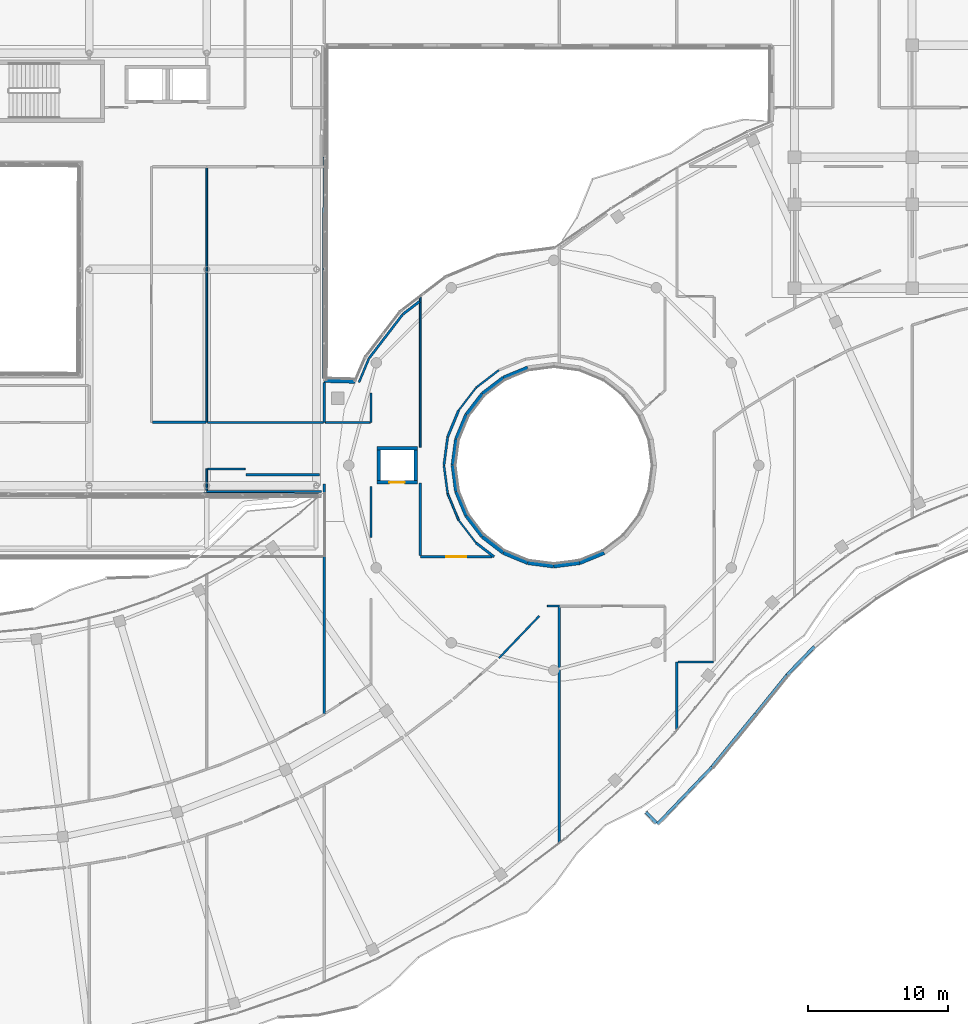
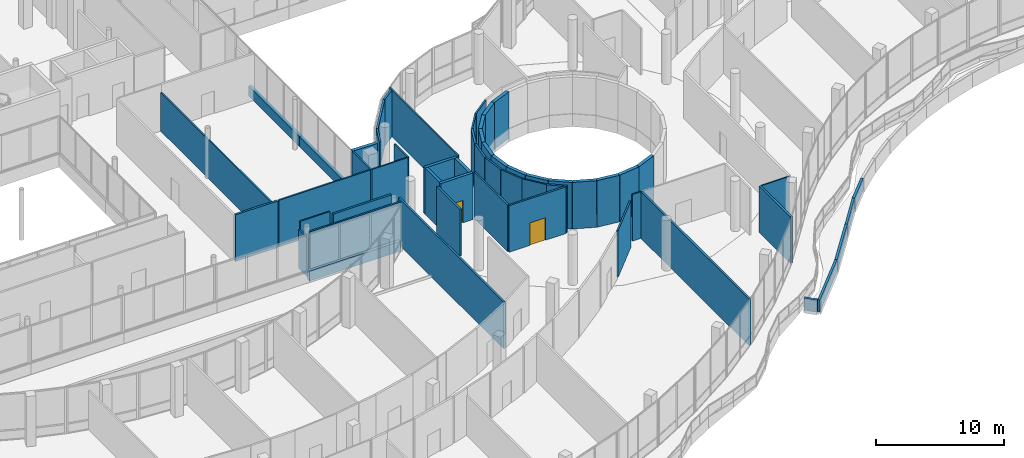
# One storey, part 141 of 168: 57 walls, 2 doors, 2 openings.
"""IFC4 building model written with IfcOpenShell, lengths in metres."""

from ifc_helpers import new_model, si_unit, direction, frame, frame_2d, origin, place, context, subcontext, project, spatial, rectangle, extrude, material, layer, layer_set, type_object, element, fill, save


model = new_model("IFC4")

# Units and contexts
model_context = context("Model", 3, precision=1e-05, world=origin(), true_north=direction((0.0, 1.0)))
body_context = subcontext(model_context, "Body", "Model", "MODEL_VIEW")
ifc_project = project(units=[si_unit("LENGTHUNIT", "METRE"), si_unit("AREAUNIT", "SQUARE_METRE"), si_unit("VOLUMEUNIT", "CUBIC_METRE"), si_unit("PLANEANGLEUNIT", "RADIAN"), si_unit("MASSUNIT", "GRAM", prefix="KILO")], contexts=[model_context])

# Site, building, storey
site_placement = place(None, origin())
site = spatial("IfcSite", under=ifc_project, at=site_placement, CompositionType="ELEMENT")
building_placement = place(site_placement, origin())
building = spatial("IfcBuilding", under=site, at=building_placement, Name="Selatvlak General Hospital", CompositionType="ELEMENT")
storey_placement = place(building_placement, frame((0.0, 0.0, 5.39990234375)))
storey = spatial("IfcBuildingStorey", under=building, at=storey_placement, Name="L01", CompositionType="ELEMENT", Elevation=5.39990234375)

# Walls
ifc_material_1 = material(Name="Precast concrete C40/50 - white fair-faced", Category="concrete")
ifc_layer_1 = layer(ifc_material_1, 0.300048828125, Name="Precast concrete C40/50 - white fair-faced", Category="concrete")
ifc_layer_set_1 = layer_set([ifc_layer_1], Name="Precast concrete C40/50 - white fair-faced")
wall_type_1 = type_object("IfcWallType", Name="WALL-EW-01", PredefinedType="SOLIDWALL", material=ifc_layer_set_1)
wall_1_placement = place(storey_placement, frame((81.60009765625, 60.06005859375, 0.0), z_axis=(0.0, 0.0, 1.0), x_axis=(0.999631579517, -0.027142314411, 0.0)))
element("IfcWall", 1, at=wall_1_placement, inside=storey, type_object=wall_type_1, Name="L01 exterior wall 0239", PredefinedType="SOLIDWALL", context=body_context, shape_type="SweptSolid", body=[
    extrude(rectangle(XDim=2.212646484375, YDim=0.300048828125, at=frame_2d((1.1064453125, 0.0))), origin(), (0.0, 0.0, 1.0), 4.445068359375),
])
wall_2_placement = place(storey_placement, frame((96.14501953125, 60.9560546875, 0.0), z_axis=(0.0, 0.0, 1.0), x_axis=(-0.924236528401, -0.381820428435, 0.0)))
element("IfcWall", 2, at=wall_2_placement, inside=storey, type_object=wall_type_1, Name="L01 exterior wall 0252", PredefinedType="SOLIDWALL", context=body_context, shape_type="SweptSolid", body=[
    extrude(rectangle(XDim=1.880615234375, YDim=0.300048828125, at=frame_2d((0.9404296875, 0.0))), origin(), (0.0, 0.0, 1.0), 4.445068359375),
])
wall_3_placement = place(storey_placement, frame((94.406982421875, 60.238037109375, 0.0), z_axis=(0.0, 0.0, 1.0), x_axis=(-0.79405161161, -0.607850341861, 0.0)))
element("IfcWall", 3, at=wall_3_placement, inside=storey, type_object=wall_type_1, Name="L01 exterior wall 0253", PredefinedType="SOLIDWALL", context=body_context, shape_type="SweptSolid", body=[
    extrude(rectangle(XDim=1.87890625, YDim=0.300048828125, at=frame_2d((0.939453125, 0.0))), origin(), (0.0, 0.0, 1.0), 4.445068359375),
])
wall_4_placement = place(storey_placement, frame((92.9150390625, 59.095947265625, 0.0), z_axis=(0.0, 0.0, 1.0), x_axis=(-0.609333966613, -0.792913688324, 0.0)))
element("IfcWall", 4, at=wall_4_placement, inside=storey, type_object=wall_type_1, Name="L01 exterior wall 0254", PredefinedType="SOLIDWALL", context=body_context, shape_type="SweptSolid", body=[
    extrude(rectangle(XDim=1.879150390625, YDim=0.300048828125, at=frame_2d((0.939453125, 0.0))), origin(), (0.0, 0.0, 1.0), 4.445068359375),
])
wall_5_placement = place(storey_placement, frame((91.77001953125, 57.60595703125, 0.0), z_axis=(0.0, 0.0, 1.0), x_axis=(-0.384006709406, -0.923330302292, 0.0)))
element("IfcWall", 5, at=wall_5_placement, inside=storey, type_object=wall_type_1, Name="L01 exterior wall 0255", PredefinedType="SOLIDWALL", context=body_context, shape_type="SweptSolid", body=[
    extrude(rectangle(XDim=1.8798828125, YDim=0.300048828125, at=frame_2d((0.93994140625, 0.0))), origin(), (0.0, 0.0, 1.0), 4.445068359375),
])
wall_6_placement = place(storey_placement, frame((91.048095703125, 55.8701171875, 0.0), z_axis=(0.0, 0.0, 1.0), x_axis=(-0.131533688416, -0.991311701137, 0.0)))
element("IfcWall", 6, at=wall_6_placement, inside=storey, type_object=wall_type_1, Name="L01 exterior wall 0256", PredefinedType="SOLIDWALL", context=body_context, shape_type="SweptSolid", body=[
    extrude(rectangle(XDim=1.87841796875, YDim=0.300048828125, at=frame_2d((0.939208984375, 0.0))), origin(), (0.0, 0.0, 1.0), 4.445068359375),
])
wall_7_placement = place(storey_placement, frame((90.801025390625, 54.008056640625, 0.0), z_axis=(0.0, 0.0, 1.0), x_axis=(0.129294741965, -0.991606206969, 0.0)))
element("IfcWall", 7, at=wall_7_placement, inside=storey, type_object=wall_type_1, Name="L01 exterior wall 0257", PredefinedType="SOLIDWALL", context=body_context, shape_type="SweptSolid", body=[
    extrude(rectangle(XDim=1.87890625, YDim=0.300048828125, at=frame_2d((0.939453125, 0.0))), origin(), (0.0, 0.0, 1.0), 4.445068359375),
])
wall_8_placement = place(storey_placement, frame((91.0439453125, 52.14501953125, 0.0), z_axis=(0.0, 0.0, 1.0), x_axis=(0.381820428435, -0.924236528401, 0.0)))
element("IfcWall", 8, at=wall_8_placement, inside=storey, type_object=wall_type_1, Name="L01 exterior wall 0258", PredefinedType="SOLIDWALL", context=body_context, shape_type="SweptSolid", body=[
    extrude(rectangle(XDim=1.880615234375, YDim=0.300048828125, at=frame_2d((0.9404296875, 0.0))), origin(), (0.0, 0.0, 1.0), 4.445068359375),
])
wall_9_placement = place(storey_placement, frame((91.761962890625, 50.406982421875, 0.0), z_axis=(0.0, 0.0, 1.0), x_axis=(0.607850341861, -0.79405161161, 0.0)))
element("IfcWall", 9, at=wall_9_placement, inside=storey, type_object=wall_type_1, Name="L01 exterior wall 0259", PredefinedType="SOLIDWALL", context=body_context, shape_type="SweptSolid", body=[
    extrude(rectangle(XDim=1.87890625, YDim=0.300048828125, at=frame_2d((0.939453125, 0.0))), origin(), (0.0, 0.0, 1.0), 4.445068359375),
])
wall_10_placement = place(storey_placement, frame((92.904052734375, 48.9150390625, 0.0), z_axis=(0.0, 0.0, 1.0), x_axis=(0.792913688324, -0.609333966613, 0.0)))
element("IfcWall", 10, at=wall_10_placement, inside=storey, type_object=wall_type_1, Name="L01 exterior wall 0260", PredefinedType="SOLIDWALL", context=body_context, shape_type="SweptSolid", body=[
    extrude(rectangle(XDim=1.879150390625, YDim=0.300048828125, at=frame_2d((0.939453125, 0.0))), origin(), (0.0, 0.0, 1.0), 4.445068359375),
])
wall_11_placement = place(storey_placement, frame((94.39404296875, 47.77001953125, 0.0), z_axis=(0.0, 0.0, 1.0), x_axis=(0.923330302292, -0.384006709406, 0.0)))
element("IfcWall", 11, at=wall_11_placement, inside=storey, type_object=wall_type_1, Name="L01 exterior wall 0261", PredefinedType="SOLIDWALL", context=body_context, shape_type="SweptSolid", body=[
    extrude(rectangle(XDim=1.8798828125, YDim=0.300048828125, at=frame_2d((0.93994140625, 0.0))), origin(), (0.0, 0.0, 1.0), 4.445068359375),
])
wall_12_placement = place(storey_placement, frame((96.1298828125, 47.048095703125, 0.0), z_axis=(0.0, 0.0, 1.0), x_axis=(0.991311701137, -0.131533688416, 0.0)))
element("IfcWall", 12, at=wall_12_placement, inside=storey, type_object=wall_type_1, Name="L01 exterior wall 0262", PredefinedType="SOLIDWALL", context=body_context, shape_type="SweptSolid", body=[
    extrude(rectangle(XDim=1.87841796875, YDim=0.300048828125, at=frame_2d((0.939208984375, 0.0))), origin(), (0.0, 0.0, 1.0), 4.445068359375),
])
wall_13_placement = place(storey_placement, frame((97.991943359375, 46.801025390625, 0.0), z_axis=(0.0, 0.0, 1.0), x_axis=(0.991606206969, 0.129294741965, 0.0)))
element("IfcWall", 13, at=wall_13_placement, inside=storey, type_object=wall_type_1, Name="L01 exterior wall 0263", PredefinedType="SOLIDWALL", context=body_context, shape_type="SweptSolid", body=[
    extrude(rectangle(XDim=1.87890625, YDim=0.300048828125, at=frame_2d((0.939453125, 0.0))), origin(), (0.0, 0.0, 1.0), 4.445068359375),
])
wall_14_placement = place(storey_placement, frame((99.85498046875, 47.0439453125, 0.0), z_axis=(0.0, 0.0, 1.0), x_axis=(0.924236528401, 0.381820428435, 0.0)))
element("IfcWall", 14, at=wall_14_placement, inside=storey, type_object=wall_type_1, Name="L01 exterior wall 0264", PredefinedType="SOLIDWALL", context=body_context, shape_type="SweptSolid", body=[
    extrude(rectangle(XDim=1.880615234375, YDim=0.300048828125, at=frame_2d((0.9404296875, 0.0))), origin(), (0.0, 0.0, 1.0), 4.445068359375),
])
ifc_material_2 = material(Name="Precast concrete C40/50 - white Bauhaus spandrel", Category="concrete")
ifc_layer_2 = layer(ifc_material_2, 0.280029296875, Name="Precast concrete C40/50 - white Bauhaus spandrel", Category="concrete")
ifc_layer_set_2 = layer_set([ifc_layer_2], Name="Precast concrete C40/50 - white Bauhaus spandrel")
wall_type_2 = type_object("IfcWallType", Name="WALL-EW-02", PredefinedType="SOLIDWALL", material=ifc_layer_set_2)
wall_15_placement = place(storey_placement, frame((81.201904296875, 51.89501953125, 0.0), z_axis=(0.0, 0.0, 1.0), x_axis=(-0.999998358775, 0.001811752647, 0.0)))
element("IfcWall", 15, at=wall_15_placement, inside=storey, type_object=wall_type_2, Name="L01 Bauhaus spandrel sill wall 0231", PredefinedType="SOLIDWALL", context=body_context, shape_type="SweptSolid", body=[
    extrude(rectangle(XDim=8.219970703125, YDim=0.280029296875, at=frame_2d((4.10986328125, 0.0))), origin(), (0.0, 0.0, 1.0), 0.940185546875),
])
wall_16_placement = place(storey_placement, frame((81.639892578125, 76.01806640625, 0.0), z_axis=(0.0, 0.0, 1.0), x_axis=(-0.002479331223, -0.999996926454, 0.0)))
element("IfcWall", 16, at=wall_16_placement, inside=storey, type_object=wall_type_2, Name="L01 Bauhaus spandrel sill wall 0247", PredefinedType="SOLIDWALL", context=body_context, shape_type="SweptSolid", body=[
    extrude(rectangle(XDim=7.97607421875, YDim=0.280029296875, at=frame_2d((3.988037109375, 0.0))), origin(), (0.0, 0.0, 1.0), 0.940185546875),
])
wall_17_placement = place(storey_placement, frame((81.6201171875, 68.0380859375, 0.0), z_axis=(0.0, 0.0, 1.0), x_axis=(-0.002554110965, -0.999996738253, 0.0)))
element("IfcWall", 17, at=wall_17_placement, inside=storey, type_object=wall_type_2, Name="L01 Bauhaus spandrel sill wall 0248", PredefinedType="SOLIDWALL", context=body_context, shape_type="SweptSolid", body=[
    extrude(rectangle(XDim=7.838134765625, YDim=0.280029296875, at=frame_2d((3.9189453125, 0.0))), origin(), (0.0, 0.0, 1.0), 0.940185546875),
])
ifc_layer_3 = layer(ifc_material_1, 0.199951171875, Name="Precast concrete C40/50 - white fair-faced", Category="concrete")
ifc_layer_set_3 = layer_set([ifc_layer_3], Name="Precast concrete C40/50 - white fair-faced")
wall_type_3 = type_object("IfcWallType", Name="WALL-PR-01", PredefinedType="PARAPET", material=ifc_layer_set_3)
wall_18_placement = place(storey_placement, frame((114.659912109375, 39.01806640625, -0.079833984375), z_axis=(0.0, 0.0, 1.0), x_axis=(-0.629213969968, -0.777232127486, 0.0)))
element("IfcWall", 18, at=wall_18_placement, inside=storey, type_object=wall_type_3, Name="L01 roof parapet upstand PAR-L01-023", PredefinedType="PARAPET", context=body_context, shape_type="SweptSolid", body=[
    extrude(rectangle(XDim=3.5693359375, YDim=0.199951171875, at=frame_2d((1.78466796875, 0.0))), origin(), (0.0, 0.0, 1.0), 1.14990234375),
])
wall_19_placement = place(storey_placement, frame((109.31103515625, 32.4560546875, -0.079833984375), z_axis=(0.0, 0.0, 1.0), x_axis=(-0.690903919484, -0.722946591417, 0.0)))
element("IfcWall", 19, at=wall_19_placement, inside=storey, type_object=wall_type_3, Name="L01 roof parapet upstand PAR-L01-025", PredefinedType="PARAPET", context=body_context, shape_type="SweptSolid", body=[
    extrude(rectangle(XDim=5.653564453125, YDim=0.199951171875, at=frame_2d((2.82666015625, 0.0))), origin(), (0.0, 0.0, 1.0), 1.14990234375),
])
ifc_layer_4 = layer(ifc_material_1, 0.219970703125, Name="Precast concrete C40/50 - white fair-faced", Category="concrete")
ifc_layer_set_4 = layer_set([ifc_layer_4], Name="Precast concrete C40/50 - white fair-faced")
wall_type_4 = type_object("IfcWallType", Name="WALL-PR-02", PredefinedType="PARAPET", material=ifc_layer_set_4)
wall_20_placement = place(storey_placement, frame((116.614990234375, 41.0419921875, -0.079833984375), z_axis=(0.0, 0.0, 1.0), x_axis=(-0.694767905197, -0.719234007753, 0.0)))
element("IfcWall", 20, at=wall_20_placement, inside=storey, type_object=wall_type_4, Name="L01 roof parapet upstand PAR-L01-022", PredefinedType="PARAPET", context=body_context, shape_type="SweptSolid", body=[
    extrude(rectangle(XDim=2.81396484375, YDim=0.219970703125, at=frame_2d((1.406982421875, 0.0))), origin(), (0.0, 0.0, 1.0), 1.14990234375),
])
wall_21_placement = place(storey_placement, frame((112.4140625, 36.243896484375, -0.079833984375), z_axis=(0.0, 0.0, 1.0), x_axis=(-0.63371281608, -0.773568398228, 0.0)))
element("IfcWall", 21, at=wall_21_placement, inside=storey, type_object=wall_type_4, Name="L01 roof parapet upstand PAR-L01-024", PredefinedType="PARAPET", context=body_context, shape_type="SweptSolid", body=[
    extrude(rectangle(XDim=4.896484375, YDim=0.219970703125, at=frame_2d((2.4482421875, 0.0))), origin(), (0.0, 0.0, 1.0), 1.14990234375),
])
wall_22_placement = place(storey_placement, frame((105.330078125, 28.447021484375, -0.079833984375), z_axis=(0.0, 0.0, 1.0), x_axis=(-0.694431430986, 0.719558884081, 0.0)))
element("IfcWall", 22, at=wall_22_placement, inside=storey, type_object=wall_type_4, Name="L01 roof parapet upstand PAR-L01-026", PredefinedType="PARAPET", context=body_context, shape_type="SweptSolid", body=[
    extrude(rectangle(XDim=1.06884765625, YDim=0.219970703125, at=frame_2d((0.534423828125, 0.0))), origin(), (0.0, 0.0, 1.0), 1.14990234375),
])
ifc_material_3 = material(Name="Acoustic gypsum stud partition")
ifc_layer_5 = layer(ifc_material_3, 0.179931640625, Name="Acoustic gypsum stud partition")
ifc_layer_set_5 = layer_set([ifc_layer_5], Name="Acoustic gypsum stud partition")
wall_type_5 = type_object("IfcWallType", Name="WALL-PT-01", PredefinedType="PARTITIONING", material=ifc_layer_set_5)
wall_23_placement = place(storey_placement, frame((73.14404296875, 57.06005859375, 0.0), z_axis=(0.0, 0.0, 1.0), x_axis=(-1.0, 0.0, 0.0)))
element("IfcWall", 23, at=wall_23_placement, inside=storey, type_object=wall_type_5, Name="L01 clinical partition PT-L01-0785", PredefinedType="PARTITIONING", context=body_context, shape_type="SweptSolid", body=[
    extrude(rectangle(XDim=3.81298828125, YDim=0.179931640625, at=frame_2d((1.906494140625, 0.0))), origin(), (0.0, 0.0, 1.0), 4.445068359375),
])
wall_24_placement = place(storey_placement, frame((76.0, 53.340087890625, 0.0), z_axis=(0.0, 0.0, 1.0), x_axis=(1.0, 0.0, 0.0)))
element("IfcWall", 24, at=wall_24_placement, inside=storey, type_object=wall_type_5, Name="L01 clinical partition PT-L01-0795", PredefinedType="PARTITIONING", context=body_context, shape_type="SweptSolid", body=[
    extrude(rectangle(XDim=5.241943359375, YDim=0.179931640625, at=frame_2d((2.62109375, 0.0))), origin(), (0.0, 0.0, 1.0), 4.445068359375),
])
wall_25_placement = place(storey_placement, frame((98.39990234375, 43.884033203125, 0.0), z_axis=(0.0, 0.0, 1.0), x_axis=(0.0, -1.0, 0.0)))
element("IfcWall", 25, at=wall_25_placement, inside=storey, type_object=wall_type_5, Name="L01 clinical partition PT-L01-0810", PredefinedType="PARTITIONING", context=body_context, shape_type="SweptSolid", body=[
    extrude(rectangle(XDim=16.862060546875, YDim=0.179931640625, at=frame_2d((8.43115234375, 0.0))), origin(), (0.0, 0.0, 1.0), 4.445068359375),
])
wall_26_placement = place(storey_placement, frame((88.404052734375, 65.705078125, 0.0), z_axis=(0.0, 0.0, 1.0), x_axis=(-0.792939148297, -0.609300834644, 0.0)))
element("IfcWall", 26, at=wall_26_placement, inside=storey, type_object=wall_type_5, Name="L01 clinical partition PT-L01-0815", PredefinedType="PARTITIONING", context=body_context, shape_type="SweptSolid", body=[
    extrude(rectangle(XDim=1.4970703125, YDim=0.179931640625, at=frame_2d((0.74853515625, 0.0))), origin(), (0.0, 0.0, 1.0), 4.445068359375),
])
wall_27_placement = place(storey_placement, frame((91.201904296875, 57.925048828125, 0.0), z_axis=(0.0, 0.0, 1.0), x_axis=(-0.383007584532, -0.923745197655, 0.0)))
element("IfcWall", 27, at=wall_27_placement, inside=storey, type_object=wall_type_5, Name="L01 clinical partition PT-L01-0825", PredefinedType="PARTITIONING", context=body_context, shape_type="SweptSolid", body=[
    extrude(rectangle(XDim=2.04931640625, YDim=0.179931640625, at=frame_2d((1.024658203125, 0.0))), origin(), (0.0, 0.0, 1.0), 4.445068359375),
])
wall_28_placement = place(storey_placement, frame((92.448974609375, 48.448974609375, 0.0), z_axis=(0.0, 0.0, 1.0), x_axis=(0.793388644719, -0.60871541662, 0.0)))
element("IfcWall", 28, at=wall_28_placement, inside=storey, type_object=wall_type_5, Name="L01 clinical partition PT-L01-0830", PredefinedType="PARTITIONING", context=body_context, shape_type="SweptSolid", body=[
    extrude(rectangle(XDim=1.624755859375, YDim=0.179931640625, at=frame_2d((0.8125, 0.0))), origin(), (0.0, 0.0, 1.0), 4.445068359375),
])
wall_29_placement = place(storey_placement, frame((106.800048828125, 39.93994140625, 0.0), z_axis=(0.0, 0.0, 1.0), x_axis=(0.0, -1.0, 0.0)))
element("IfcWall", 29, at=wall_29_placement, inside=storey, type_object=wall_type_5, Name="L01 clinical partition PT-L01-0835", PredefinedType="PARTITIONING", context=body_context, shape_type="SweptSolid", body=[
    extrude(rectangle(XDim=4.85400390625, YDim=0.179931640625, at=frame_2d((2.427001953125, 0.0))), origin(), (0.0, 0.0, 1.0), 4.445068359375),
])
ifc_layer_6 = layer(ifc_material_3, 0.1650390625, Name="Acoustic gypsum stud partition")
ifc_layer_set_6 = layer_set([ifc_layer_6], Name="Acoustic gypsum stud partition")
wall_type_6 = type_object("IfcWallType", Name="WALL-PT-02", PredefinedType="PARTITIONING", material=ifc_layer_set_6)
wall_30_placement = place(storey_placement, frame((81.60009765625, 52.654052734375, 0.0), z_axis=(0.0, 0.0, 1.0), x_axis=(0.0, -1.0, 0.0)))
element("IfcWall", 30, at=wall_30_placement, inside=storey, type_object=wall_type_6, Name="L01 clinical partition PT-L01-0796", PredefinedType="PARTITIONING", context=body_context, shape_type="SweptSolid", body=[
    extrude(rectangle(XDim=16.427978515625, YDim=0.1650390625, at=frame_2d((8.2138671875, 0.0))), origin(), (0.0, 0.0, 1.0), 4.445068359375),
])
wall_31_placement = place(storey_placement, frame((84.93994140625, 52.467041015625, 0.0), z_axis=(0.0, 0.0, 1.0), x_axis=(0.0, -1.0, 0.0)))
element("IfcWall", 31, at=wall_31_placement, inside=storey, type_object=wall_type_6, Name="L01 clinical partition PT-L01-0811", PredefinedType="PARTITIONING", context=body_context, shape_type="SweptSolid", body=[
    extrude(rectangle(XDim=3.615966796875, YDim=0.1650390625, at=frame_2d((1.80810546875, 0.0))), origin(), (0.0, 0.0, 1.0), 4.445068359375),
])
wall_32_placement = place(storey_placement, frame((87.2060546875, 64.781982421875, 0.0), z_axis=(0.0, 0.0, 1.0), x_axis=(-0.608806174349, -0.793319003979, 0.0)))
element("IfcWall", 32, at=wall_32_placement, inside=storey, type_object=wall_type_6, Name="L01 clinical partition PT-L01-0816", PredefinedType="PARTITIONING", context=body_context, shape_type="SweptSolid", body=[
    extrude(rectangle(XDim=3.966796875, YDim=0.1650390625, at=frame_2d((1.9833984375, 0.0))), origin(), (0.0, 0.0, 1.0), 4.445068359375),
])
wall_33_placement = place(storey_placement, frame((90.4169921875, 56.031982421875, 0.0), z_axis=(0.0, 0.0, 1.0), x_axis=(-0.130322006886, -0.991471721493, 0.0)))
element("IfcWall", 33, at=wall_33_placement, inside=storey, type_object=wall_type_6, Name="L01 clinical partition PT-L01-0826", PredefinedType="PARTITIONING", context=body_context, shape_type="SweptSolid", body=[
    extrude(rectangle(XDim=2.049560546875, YDim=0.1650390625, at=frame_2d((1.02490234375, 0.0))), origin(), (0.0, 0.0, 1.0), 4.445068359375),
])

# Wall, opening, door
wall_34_placement = place(storey_placement, frame((93.596923828125, 47.4599609375, 0.0), z_axis=(0.0, 0.0, 1.0), x_axis=(-1.0, 0.0, 0.0)))
wall_34 = element("IfcWall", 34, at=wall_34_placement, inside=storey, type_object=wall_type_6, Name="L01 clinical partition PT-L01-0831", PredefinedType="PARTITIONING", context=body_context, shape_type="SweptSolid", body=[
    extrude(rectangle(XDim=5.136962890625, YDim=0.1650390625, at=frame_2d((2.568359375, 0.0))), origin(), (0.0, 0.0, 1.0), 4.445068359375),
])
opening_1_placement = place(wall_34_placement, frame((1.868896484375, 0.0, 0.0)))
opening_1 = element("IfcOpeningElement", 35, at=opening_1_placement, cuts=wall_34, Name="Opening D-11", PredefinedType="OPENING", context=body_context, shape_type="SweptSolid", body=[
    extrude(rectangle(XDim=1.39990234375, YDim=2.14990234375, at=frame_2d((0.699951171875, 1.074951171875))), frame((0.0, 0.092529296875, 0.0), z_axis=(0.0, -1.0, 0.0), x_axis=(1.0, 0.0, 0.0)), (0.0, 0.0, 1.0), 0.18505859375),
])
ifc_material_4 = material(Name="Inpatient suite bed door")
door_type_1 = type_object("IfcDoorType", Name="DOOR-D-11", OperationType="NOTDEFINED", PredefinedType="DOOR", material=ifc_material_4)
door_1_placement = place(opening_1_placement, origin())
door_1 = element("IfcDoor", 36, at=door_1_placement, inside=storey, type_object=door_type_1, Name="L01 Paediatric Intensive Care Unit 24 door", OperationType="SINGLE_SWING_RIGHT", OverallHeight=2.14990234375, OverallWidth=1.39990234375, PredefinedType="DOOR", context=body_context, shape_type="SweptSolid", body=[
    extrude(rectangle(XDim=1.39990234375, YDim=2.14990234375, at=frame_2d((0.699951171875, 1.074951171875))), frame((0.0, 0.02490234375, 0.0), z_axis=(0.0, -1.0, 0.0), x_axis=(1.0, 0.0, 0.0)), (0.0, 0.0, 1.0), 0.050048828125),
])
fill(opening_1, door_1)

# Walls
ifc_layer_7 = layer(ifc_material_3, 0.14990234375, Name="Acoustic gypsum stud partition")
ifc_layer_set_7 = layer_set([ifc_layer_7], Name="Acoustic gypsum stud partition")
wall_type_7 = type_object("IfcWallType", Name="WALL-PT-03", PredefinedType="PARTITIONING", material=ifc_layer_set_7)
wall_35_placement = place(storey_placement, frame((81.39404296875, 52.139892578125, 0.0), z_axis=(0.0, 0.0, 1.0), x_axis=(-1.0, 0.0, 0.0)))
element("IfcWall", 37, at=wall_35_placement, inside=storey, type_object=wall_type_7, Name="L01 clinical partition PT-L01-0792", PredefinedType="PARTITIONING", context=body_context, shape_type="SweptSolid", body=[
    extrude(rectangle(XDim=8.194091796875, YDim=0.14990234375, at=frame_2d((4.09716796875, 0.0))), origin(), (0.0, 0.0, 1.0), 4.445068359375),
])
wall_36_placement = place(storey_placement, frame((81.60009765625, 59.9130859375, 0.0), z_axis=(0.0, 0.0, 1.0), x_axis=(0.0, -1.0, 0.0)))
element("IfcWall", 38, at=wall_36_placement, inside=storey, type_object=wall_type_7, Name="L01 clinical partition PT-L01-0802", PredefinedType="PARTITIONING", context=body_context, shape_type="SweptSolid", body=[
    extrude(rectangle(XDim=2.85302734375, YDim=0.14990234375, at=frame_2d((1.426513671875, 0.0))), origin(), (0.0, 0.0, 1.0), 4.445068359375),
])
wall_37_placement = place(storey_placement, frame((84.782958984375, 61.62109375, 0.0), z_axis=(0.0, 0.0, 1.0), x_axis=(-0.382660915668, -0.923888858911, 0.0)))
element("IfcWall", 39, at=wall_37_placement, inside=storey, type_object=wall_type_7, Name="L01 clinical partition PT-L01-0817", PredefinedType="PARTITIONING", context=body_context, shape_type="SweptSolid", body=[
    extrude(rectangle(XDim=1.8369140625, YDim=0.14990234375, at=frame_2d((0.91845703125, 0.0))), origin(), (0.0, 0.0, 1.0), 4.445068359375),
])
wall_38_placement = place(storey_placement, frame((90.14990234375, 54.0, 0.0), z_axis=(0.0, 0.0, 1.0), x_axis=(0.130322006886, -0.991471721493, 0.0)))
element("IfcWall", 40, at=wall_38_placement, inside=storey, type_object=wall_type_7, Name="L01 clinical partition PT-L01-0827", PredefinedType="PARTITIONING", context=body_context, shape_type="SweptSolid", body=[
    extrude(rectangle(XDim=2.049560546875, YDim=0.14990234375, at=frame_2d((1.02490234375, 0.0))), origin(), (0.0, 0.0, 1.0), 4.445068359375),
])
wall_39_placement = place(storey_placement, frame((88.4599609375, 47.5380859375, 0.0), z_axis=(0.0, 0.0, 1.0), x_axis=(0.0, 1.0, 0.0)))
element("IfcWall", 41, at=wall_39_placement, inside=storey, type_object=wall_type_7, Name="L01 clinical partition PT-L01-0832", PredefinedType="PARTITIONING", context=body_context, shape_type="SweptSolid", body=[
    extrude(rectangle(XDim=5.181884765625, YDim=0.14990234375, at=frame_2d((2.5908203125, 0.0))), origin(), (0.0, 0.0, 1.0), 4.445068359375),
])
ifc_material_5 = material(Name="Moisture-resistant clinical partition")
ifc_layer_8 = layer(ifc_material_5, 0.135009765625, Name="Moisture-resistant clinical partition")
ifc_layer_set_8 = layer_set([ifc_layer_8], Name="Moisture-resistant clinical partition")
wall_type_8 = type_object("IfcWallType", Name="WALL-PT-04", PredefinedType="PARTITIONING", material=ifc_layer_set_8)
wall_40_placement = place(storey_placement, frame((73.199951171875, 52.2109375, 0.0), z_axis=(0.0, 0.0, 1.0), x_axis=(0.0, 1.0, 0.0)))
element("IfcWall", 42, at=wall_40_placement, inside=storey, type_object=wall_type_8, Name="L01 clinical partition PT-L01-0793", PredefinedType="PARTITIONING", context=body_context, shape_type="SweptSolid", body=[
    extrude(rectangle(XDim=1.529052734375, YDim=0.135009765625, at=frame_2d((0.7646484375, 0.0))), origin(), (0.0, 0.0, 1.0), 3.695068359375),
])
wall_41_placement = place(storey_placement, frame((81.529052734375, 57.06005859375, 0.0), z_axis=(0.0, 0.0, 1.0), x_axis=(-1.0, 0.0, 0.0)))
element("IfcWall", 43, at=wall_41_placement, inside=storey, type_object=wall_type_8, Name="L01 clinical partition PT-L01-0803", PredefinedType="PARTITIONING", context=body_context, shape_type="SweptSolid", body=[
    extrude(rectangle(XDim=8.27294921875, YDim=0.135009765625, at=frame_2d((4.136474609375, 0.0))), origin(), (0.0, 0.0, 1.0), 4.445068359375),
])
wall_42_placement = place(storey_placement, frame((94.0791015625, 40.218994140625, 0.0), z_axis=(0.0, 0.0, 1.0), x_axis=(0.690956969987, 0.722895888511, 0.0)))
element("IfcWall", 44, at=wall_42_placement, inside=storey, type_object=wall_type_8, Name="L01 clinical partition PT-L01-0808", PredefinedType="PARTITIONING", context=body_context, shape_type="SweptSolid", body=[
    extrude(rectangle(XDim=4.173583984375, YDim=0.135009765625, at=frame_2d((2.0869140625, 0.0))), origin(), (0.0, 0.0, 1.0), 4.445068359375),
])
wall_43_placement = place(storey_placement, frame((84.93994140625, 59.14892578125, 0.0), z_axis=(0.0, 0.0, 1.0), x_axis=(0.0, -1.0, 0.0)))
element("IfcWall", 45, at=wall_43_placement, inside=storey, type_object=wall_type_8, Name="L01 clinical partition PT-L01-0818", PredefinedType="PARTITIONING", context=body_context, shape_type="SweptSolid", body=[
    extrude(rectangle(XDim=2.0888671875, YDim=0.135009765625, at=frame_2d((1.04443359375, 0.0))), origin(), (0.0, 0.0, 1.0), 4.445068359375),
])
wall_44_placement = place(storey_placement, frame((94.074951171875, 60.798095703125, 0.0), z_axis=(0.0, 0.0, 1.0), x_axis=(-0.793491289639, -0.608581607729, 0.0)))
element("IfcWall", 46, at=wall_44_placement, inside=storey, type_object=wall_type_8, Name="L01 clinical partition PT-L01-0823", PredefinedType="PARTITIONING", context=body_context, shape_type="SweptSolid", body=[
    extrude(rectangle(XDim=2.049072265625, YDim=0.135009765625, at=frame_2d((1.0244140625, 0.0))), origin(), (0.0, 0.0, 1.0), 4.445068359375),
])
wall_45_placement = place(storey_placement, frame((90.4169921875, 51.968017578125, 0.0), z_axis=(0.0, 0.0, 1.0), x_axis=(0.383007584532, -0.923745197655, 0.0)))
element("IfcWall", 47, at=wall_45_placement, inside=storey, type_object=wall_type_8, Name="L01 clinical partition PT-L01-0828", PredefinedType="PARTITIONING", context=body_context, shape_type="SweptSolid", body=[
    extrude(rectangle(XDim=2.04931640625, YDim=0.135009765625, at=frame_2d((1.024658203125, 0.0))), origin(), (0.0, 0.0, 1.0), 4.445068359375),
])
ifc_layer_9 = layer(ifc_material_5, 0.1201171875, Name="Moisture-resistant clinical partition")
ifc_layer_set_9 = layer_set([ifc_layer_9], Name="Moisture-resistant clinical partition")
wall_type_9 = type_object("IfcWallType", Name="WALL-PT-05", PredefinedType="PARTITIONING", material=ifc_layer_set_9)
wall_46_placement = place(storey_placement, frame((73.199951171875, 75.27587890625, 0.0), z_axis=(0.0, 0.0, 1.0), x_axis=(0.0, -1.0, 0.0)))
element("IfcWall", 48, at=wall_46_placement, inside=storey, type_object=wall_type_9, Name="L01 clinical partition PT-L01-0784", PredefinedType="PARTITIONING", context=body_context, shape_type="SweptSolid", body=[
    extrude(rectangle(XDim=18.2158203125, YDim=0.1201171875, at=frame_2d((9.10791015625, 0.0))), origin(), (0.0, 0.0, 1.0), 3.695068359375),
])
wall_47_placement = place(storey_placement, frame((73.263916015625, 53.739990234375, 0.0), z_axis=(0.0, 0.0, 1.0), x_axis=(1.0, 0.0, 0.0)))
element("IfcWall", 49, at=wall_47_placement, inside=storey, type_object=wall_type_9, Name="L01 clinical partition PT-L01-0794", PredefinedType="PARTITIONING", context=body_context, shape_type="SweptSolid", body=[
    extrude(rectangle(XDim=2.676025390625, YDim=0.1201171875, at=frame_2d((1.337890625, 0.0))), origin(), (0.0, 0.0, 1.0), 4.445068359375),
])
wall_48_placement = place(storey_placement, frame((97.544921875, 43.93994140625, 0.0), z_axis=(0.0, 0.0, 1.0), x_axis=(1.0, 0.0, 0.0)))
element("IfcWall", 50, at=wall_48_placement, inside=storey, type_object=wall_type_9, Name="L01 clinical partition PT-L01-0809", PredefinedType="PARTITIONING", context=body_context, shape_type="SweptSolid", body=[
    extrude(rectangle(XDim=0.85498046875, YDim=0.1201171875, at=frame_2d((0.427490234375, 0.0))), origin(), (0.0, 0.0, 1.0), 4.445068359375),
])
wall_49_placement = place(storey_placement, frame((88.4599609375, 55.280029296875, 0.0), z_axis=(0.0, 0.0, 1.0), x_axis=(0.0, 1.0, 0.0)))
element("IfcWall", 51, at=wall_49_placement, inside=storey, type_object=wall_type_9, Name="L01 clinical partition PT-L01-0814", PredefinedType="PARTITIONING", context=body_context, shape_type="SweptSolid", body=[
    extrude(rectangle(XDim=10.7548828125, YDim=0.1201171875, at=frame_2d((5.37744140625, 0.0))), origin(), (0.0, 0.0, 1.0), 4.445068359375),
])
wall_50_placement = place(storey_placement, frame((84.8759765625, 57.06005859375, 0.0), z_axis=(0.0, 0.0, 1.0), x_axis=(-1.0, 0.0, 0.0)))
element("IfcWall", 52, at=wall_50_placement, inside=storey, type_object=wall_type_9, Name="L01 clinical partition PT-L01-0819", PredefinedType="PARTITIONING", context=body_context, shape_type="SweptSolid", body=[
    extrude(rectangle(XDim=3.205078125, YDim=0.1201171875, at=frame_2d((1.6025390625, 0.0))), origin(), (0.0, 0.0, 1.0), 4.445068359375),
])
for number, where, z_axis, x_axis, name in (
    (53, (92.448974609375, 59.551025390625, 0.0), (0.0, 0.0, 1.0), (-0.608581607729, -0.793491289639, 0.0), "L01 clinical partition PT-L01-0824"),
    (54, (91.201904296875, 50.074951171875, 0.0), (0.0, 0.0, 1.0), (0.608581607729, -0.793491289639, 0.0), "L01 clinical partition PT-L01-0829"),
):
    element("IfcWall", number, at=place(storey_placement, frame(where, z_axis=z_axis, x_axis=x_axis)), inside=storey, type_object=wall_type_9, Name=name, PredefinedType="PARTITIONING", context=body_context, shape_type="SweptSolid", body=[
        extrude(rectangle(XDim=2.049072265625, YDim=0.1201171875, at=frame_2d((1.0244140625, 0.0))), origin(), (0.0, 0.0, 1.0), 4.445068359375),
    ])
wall_51_placement = place(storey_placement, frame((106.885986328125, 39.93994140625, 0.0), z_axis=(0.0, 0.0, 1.0), x_axis=(1.0, 0.0, 0.0)))
element("IfcWall", 55, at=wall_51_placement, inside=storey, type_object=wall_type_9, Name="L01 clinical partition PT-L01-0844", PredefinedType="PARTITIONING", context=body_context, shape_type="SweptSolid", body=[
    extrude(rectangle(XDim=2.513916015625, YDim=0.1201171875, at=frame_2d((1.2568359375, 0.0))), origin(), (0.0, 0.0, 1.0), 4.445068359375),
])

# Wall, opening, door
ifc_material_6 = material(Name="Concrete C40/50", Category="concrete")
ifc_layer_10 = layer(ifc_material_6, 0.25, Name="Concrete C40/50", Category="concrete")
ifc_layer_set_10 = layer_set([ifc_layer_10], Name="Concrete C40/50")
wall_type_10 = type_object("IfcWallType", Name="WALL-SW-03", PredefinedType="SHEAR", material=ifc_layer_set_10)
wall_52_placement = place(storey_placement, frame((85.35009765625, 52.77490234375, 0.0), z_axis=(0.0, 0.0, 1.0), x_axis=(1.0, 0.0, 0.0)))
wall_52 = element("IfcWall", 56, at=wall_52_placement, inside=storey, type_object=wall_type_10, Name="Lift LP-03 shaft wall L01 S", PredefinedType="SHEAR", context=body_context, shape_type="SweptSolid", body=[
    extrude(rectangle(XDim=2.89990234375, YDim=0.25, at=frame_2d((1.449951171875, 0.0))), origin(), (0.0, 0.0, 1.0), 4.445068359375),
])
opening_2_placement = place(wall_52_placement, frame((0.89990234375, 0.0, 0.0)))
opening_2 = element("IfcOpeningElement", 57, at=opening_2_placement, cuts=wall_52, Name="Opening LD-P1", PredefinedType="OPENING", context=body_context, shape_type="SweptSolid", body=[
    extrude(rectangle(XDim=1.10009765625, YDim=2.14990234375, at=frame_2d((0.550048828125, 1.074951171875))), frame((0.0, 0.135009765625, 0.0), z_axis=(0.0, -1.0, 0.0), x_axis=(1.0, 0.0, 0.0)), (0.0, 0.0, 1.0), 0.27001953125),
])
ifc_material_7 = material(Name="Stainless steel passenger lift landing door", Category="steel")
door_type_2 = type_object("IfcDoorType", Name="DOOR-LD-P1", OperationType="DOUBLE_DOOR_SLIDING", PredefinedType="DOOR", material=ifc_material_7)
door_2_placement = place(opening_2_placement, origin())
door_2 = element("IfcDoor", 58, at=door_2_placement, inside=storey, type_object=door_type_2, Name="Lift LP-03 sliding landing door on L01", OperationType="DOUBLE_DOOR_SLIDING", OverallHeight=2.14990234375, OverallWidth=1.10009765625, PredefinedType="DOOR", context=body_context, shape_type="SweptSolid", body=[
    extrude(rectangle(XDim=1.10009765625, YDim=2.14990234375, at=frame_2d((0.550048828125, 1.074951171875))), frame((0.0, 0.02490234375, 0.0), z_axis=(0.0, -1.0, 0.0), x_axis=(1.0, 0.0, 0.0)), (0.0, 0.0, 1.0), 0.050048828125),
])
fill(opening_2, door_2)

# Walls
wall_53_placement = place(storey_placement, frame((88.125, 52.89990234375, 0.0), z_axis=(0.0, 0.0, 1.0), x_axis=(0.0, 1.0, 0.0)))
element("IfcWall", 59, at=wall_53_placement, inside=storey, type_object=wall_type_10, Name="Lift LP-03 shaft wall L01 E", PredefinedType="SHEAR", context=body_context, shape_type="SweptSolid", body=[
    extrude(rectangle(XDim=2.2001953125, YDim=0.25, at=frame_2d((1.10009765625, 0.0))), origin(), (0.0, 0.0, 1.0), 4.445068359375),
])
wall_54_placement = place(storey_placement, frame((88.25, 55.22509765625, 0.0), z_axis=(0.0, 0.0, 1.0), x_axis=(-1.0, 0.0, 0.0)))
element("IfcWall", 60, at=wall_54_placement, inside=storey, type_object=wall_type_10, Name="Lift LP-03 shaft wall L01 N", PredefinedType="SHEAR", context=body_context, shape_type="SweptSolid", body=[
    extrude(rectangle(XDim=2.89990234375, YDim=0.25, at=frame_2d((1.449951171875, 0.0))), origin(), (0.0, 0.0, 1.0), 4.445068359375),
])
wall_55_placement = place(storey_placement, frame((85.47509765625, 55.10009765625, 0.0), z_axis=(0.0, 0.0, 1.0), x_axis=(0.0, -1.0, 0.0)))
element("IfcWall", 61, at=wall_55_placement, inside=storey, type_object=wall_type_10, Name="Lift LP-03 shaft wall L01 W", PredefinedType="SHEAR", context=body_context, shape_type="SweptSolid", body=[
    extrude(rectangle(XDim=2.2001953125, YDim=0.25, at=frame_2d((1.10009765625, 0.0))), origin(), (0.0, 0.0, 1.0), 4.445068359375),
])

save(model, "model.ifc")
